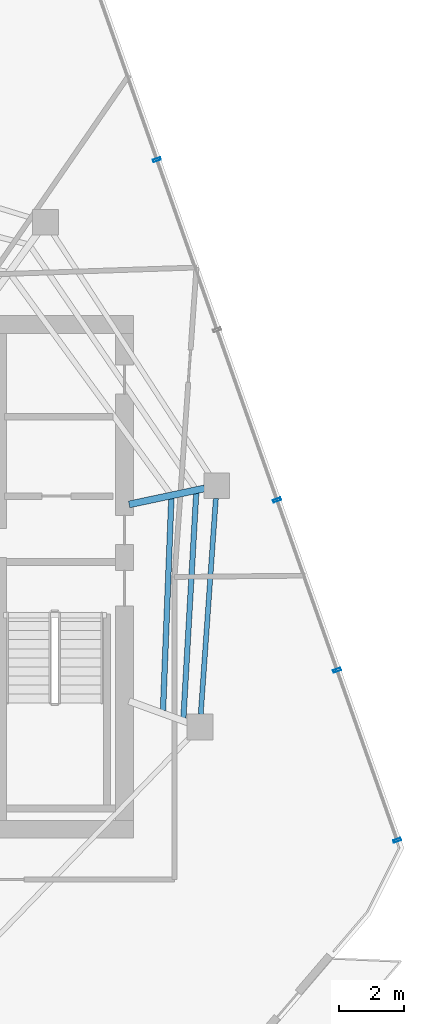
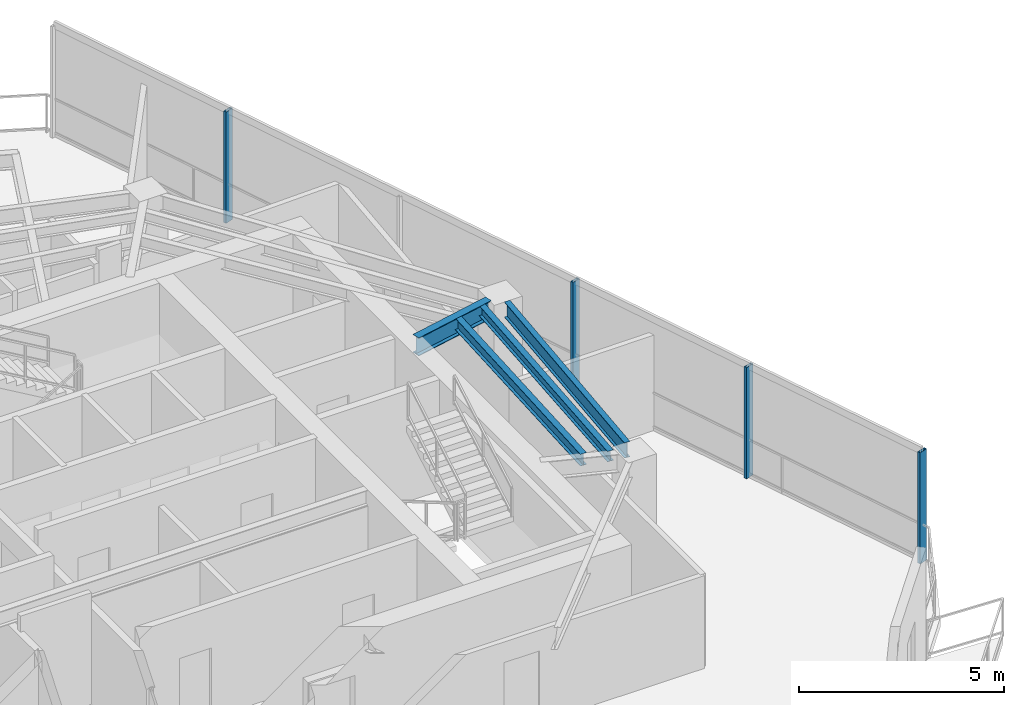
# One storey, part 10 of 18: 4 beams, 4 members, 1 element without a shape of its own.
"""IFC4 building model written with IfcOpenShell, lengths in metres."""

import ifcopenshell
import ifcopenshell.guid

model = None  # the IFC model being written
_history = None  # IfcOwnerHistory: only IFC2X3 demands one
_inside = {}  # id of a spatial element -> (the spatial element, [elements in it])
_under = {}  # id of a project, library or spatial element -> (it, [spatial elements below it])
_declared = {}  # id of a project -> (the project, [libraries it declares])
_typed = {}  # id of a type object -> (the type object, [elements of that type])
_made_of = {}  # id of a material, layer set ... -> (it, [elements and type objects made of it])


def new_model(schema):
    """Start an empty IFC model of exactly this schema.

    Asked for "IFC4X3", IfcOpenShell would pick the latest addendum, in which some entities
    have other attributes; the version numbers below select the first issue.
    IFC2X3 requires an IfcOwnerHistory on every rooted entity: one is made here for all.
    """
    global model, _history
    if schema == "IFC4X3":
        model = ifcopenshell.file(schema_version=(4, 3, 0, 0))
    else:
        model = ifcopenshell.file(schema=schema)
    _inside.clear()
    _under.clear()
    _declared.clear()
    _typed.clear()
    _made_of.clear()
    _history = None
    if model.schema == "IFC2X3":
        org = make("IfcOrganization", Name="unknown")
        user = make(
            "IfcPersonAndOrganization",
            ThePerson=make("IfcPerson", FamilyName="unknown"),
            TheOrganization=org,
        )
        app = make(
            "IfcApplication",
            ApplicationDeveloper=org,
            Version="unknown",
            ApplicationFullName="unknown",
            ApplicationIdentifier="unknown",
        )
        _history = make(
            "IfcOwnerHistory",
            OwningUser=user,
            OwningApplication=app,
            ChangeAction="ADDED",
            CreationDate=0,
        )
    return model


def make(cls, **values):
    """One entity of the class cls with the attributes given. An attribute that is None is left unset."""
    return model.create_entity(
        cls, **{name: value for name, value in values.items() if value is not None}
    )


def rooted(cls, **values):
    """An entity with a GlobalId (a new one), such as an element, a storey or a relation."""
    return make(cls, GlobalId=ifcopenshell.guid.new(), OwnerHistory=_history, **values)


def si_unit(unit_type, name, prefix=None):
    """IfcSIUnit, for example si_unit("LENGTHUNIT", "METRE", prefix="MILLI")."""
    return make("IfcSIUnit", UnitType=unit_type, Prefix=prefix, Name=name)


def assignment(units):
    """IfcUnitAssignment: the units of a project."""
    return None if units is None else make("IfcUnitAssignment", Units=units)


def point(xyz):
    """IfcCartesianPoint."""
    return None if xyz is None else make("IfcCartesianPoint", Coordinates=xyz)


def direction(xyz):
    """IfcDirection."""
    return None if xyz is None else make("IfcDirection", DirectionRatios=xyz)


def frame(location, z_axis=None, x_axis=None):
    """IfcAxis2Placement3D, a coordinate frame: its origin and axes. An axis left out is left unset."""
    return make(
        "IfcAxis2Placement3D",
        Location=point(location),
        Axis=direction(z_axis),
        RefDirection=direction(x_axis),
    )


def frame_2d(location, x_axis=None):
    """IfcAxis2Placement2D, a coordinate frame in the plane: its origin and x axis."""
    return make(
        "IfcAxis2Placement2D", Location=point(location), RefDirection=direction(x_axis)
    )


def origin():
    """The frame at (0, 0, 0) with its axes left unset."""
    return frame((0.0, 0.0, 0.0))


def origin_2d():
    """The frame at (0, 0) in the plane with its x axis left unset."""
    return frame_2d((0.0, 0.0))


def place(relative_to, where):
    """IfcLocalPlacement: puts the frame where relative to a parent placement (None: the world)."""
    return make(
        "IfcLocalPlacement", PlacementRelTo=relative_to, RelativePlacement=where
    )


def context(
    kind, dimensions, precision=None, world=None, true_north=None, identifier=None
):
    """IfcGeometricRepresentationContext, for example the 3D "Model" context."""
    return make(
        "IfcGeometricRepresentationContext",
        ContextIdentifier=identifier,
        ContextType=kind,
        CoordinateSpaceDimension=dimensions,
        Precision=precision,
        WorldCoordinateSystem=world,
        TrueNorth=true_north,
    )


def subcontext(parent, identifier, kind, view, scale=None):
    """IfcGeometricRepresentationSubContext, for example "Body" below "Model"."""
    return make(
        "IfcGeometricRepresentationSubContext",
        ContextIdentifier=identifier,
        ContextType=kind,
        ParentContext=parent,
        TargetScale=scale,
        TargetView=view,
    )


def project(units=None, contexts=None):
    """IfcProject with its units and contexts."""
    return rooted(
        "IfcProject",
        Name="project",
        RepresentationContexts=contexts,
        UnitsInContext=assignment(units),
    )


def spatial(cls, under=None, at=None, **own):
    """A site, building, storey or space (cls), placed at a placement, below another one or the project."""
    s = rooted(cls, ObjectPlacement=at, **own)
    if under is not None:
        _under.setdefault(under.id(), (under, []))[1].append(s)
    return s


def profile(cls, at=None, kind="AREA", **sizes):
    """A parametric profile (cls). Its sizes go by their IFC names, for example OverallWidth=200.0."""
    return make(cls, ProfileType=kind, Position=at, **sizes)


def hollow_rectangle(**sizes):
    """IfcRectangleHollowProfileDef."""
    return profile("IfcRectangleHollowProfileDef", **sizes)


def i_section(**sizes):
    """IfcIShapeProfileDef."""
    return profile("IfcIShapeProfileDef", **sizes)


def extrude(swept, where, along, depth):
    """IfcExtrudedAreaSolid: the profile swept, set in the frame where, extruded along a direction by depth."""
    return make(
        "IfcExtrudedAreaSolid",
        SweptArea=swept,
        Position=where,
        ExtrudedDirection=direction(along),
        Depth=depth,
    )


def shape(context_of_items, identifier, shape_type, items):
    """IfcShapeRepresentation: the items that make up one representation, for example the "Body"."""
    return make(
        "IfcShapeRepresentation",
        ContextOfItems=context_of_items,
        RepresentationIdentifier=identifier,
        RepresentationType=shape_type,
        Items=items,
    )


def material(Name=None, Category=None):
    """IfcMaterial."""
    return make("IfcMaterial", Name=Name, Category=Category)


def layer(
    of_material, thickness, ventilated=None, Name=None, Category=None, Priority=None
):
    """IfcMaterialLayer: one layer of a wall or slab, of a material (None: an air gap)."""
    return make(
        "IfcMaterialLayer",
        Material=of_material,
        LayerThickness=thickness,
        IsVentilated=ventilated,
        Name=Name,
        Category=Category,
        Priority=Priority,
    )


def layer_set(layers, Name=None):
    """IfcMaterialLayerSet."""
    return make("IfcMaterialLayerSet", MaterialLayers=layers, LayerSetName=Name)


def material_profile(
    of_material, cross_section, Name=None, Category=None, Priority=None
):
    """IfcMaterialProfile: a cross section and its material."""
    return make(
        "IfcMaterialProfile",
        Name=Name,
        Material=of_material,
        Profile=cross_section,
        Priority=Priority,
        Category=Category,
    )


def profile_set(profiles, Name=None, composite=None):
    """IfcMaterialProfileSet."""
    return make(
        "IfcMaterialProfileSet",
        Name=Name,
        MaterialProfiles=profiles,
        CompositeProfile=composite,
    )


def made_of(thing, what):
    """Note that an element or type object is made of a material, layer set ...; save() writes the relation."""
    if what is not None:
        _made_of.setdefault(what.id(), (what, []))[1].append(thing)
    return thing


def type_object(cls, material=None, **own):
    """A type object (cls), such as IfcWallType, which elements share."""
    return made_of(rooted(cls, **own), material)


def element(
    cls,
    number,
    at=None,
    inside=None,
    cuts=None,
    type_object=None,
    material=None,
    context=None,
    identifier="Body",
    shape_type=None,
    held_by="IfcProductDefinitionShape",
    body=None,
    shapes=None,
    **own,
):
    """One element of the class cls, such as IfcWall. Its Tag is "e" and its number.

    at: its placement. inside: the storey or other place that contains it. cuts: it is an
    opening in that element (IfcRelVoidsElement). A single representation is given by context,
    identifier, shape_type and body (its items); several are given by shapes. held_by: the class
    of the entity that holds the representations. save() writes the other relations.
    """
    e = rooted(cls, Tag="e%d" % number, ObjectPlacement=at, **own)
    if body is not None:
        shapes = [shape(context, identifier, shape_type, body)]
    if shapes is not None:
        e.Representation = make(held_by, Representations=shapes)
    if inside is not None:
        _inside.setdefault(inside.id(), (inside, []))[1].append(e)
    if cuts is not None:
        rooted(
            "IfcRelVoidsElement", RelatingBuildingElement=cuts, RelatedOpeningElement=e
        )
    if type_object is not None:
        _typed.setdefault(type_object.id(), (type_object, []))[1].append(e)
    return made_of(e, material)


def aggregate(whole, parts):
    """IfcRelAggregates: a whole, such as a stair, and the parts it consists of."""
    return rooted("IfcRelAggregates", RelatingObject=whole, RelatedObjects=parts)


def save(model, path):
    """Write the relations noted so far, then the file.

    IfcRelAggregates (storeys below a building ...), IfcRelContainedInSpatialStructure (elements
    in a storey), IfcRelDefinesByType, IfcRelAssociatesMaterial and IfcRelDeclares: one each for
    every whole, place, type object, material and project.
    """
    for whole, parts in _under.values():
        aggregate(whole, parts)
    for where, things in _inside.values():
        rooted(
            "IfcRelContainedInSpatialStructure",
            RelatedElements=things,
            RelatingStructure=where,
        )
    for kind, things in _typed.values():
        rooted("IfcRelDefinesByType", RelatedObjects=things, RelatingType=kind)
    for what, things in _made_of.values():
        rooted("IfcRelAssociatesMaterial", RelatedObjects=things, RelatingMaterial=what)
    for by, libraries in _declared.values():
        rooted("IfcRelDeclares", RelatingContext=by, RelatedDefinitions=libraries)
    model.write(path)


model = new_model("IFC4")

# Units and contexts
model_context = context("Model", 3, precision=1e-05, world=origin(), true_north=direction((0.0, 1.0)))
body_context = subcontext(model_context, "Body", "Model", "MODEL_VIEW")
ifc_project = project(units=[si_unit("LENGTHUNIT", "METRE"), si_unit("AREAUNIT", "SQUARE_METRE"), si_unit("VOLUMEUNIT", "CUBIC_METRE"), si_unit("PLANEANGLEUNIT", "RADIAN"), si_unit("MASSUNIT", "GRAM", prefix="KILO")], contexts=[model_context])

# Site, building, storey
site_placement = place(None, origin())
site = spatial("IfcSite", under=ifc_project, at=site_placement, CompositionType="ELEMENT")
building_placement = place(site_placement, origin())
building = spatial("IfcBuilding", under=site, at=building_placement, Name="Qarnah Convention Tower", CompositionType="ELEMENT")
storey_placement = place(building_placement, frame((0.0, 0.0, 253.5)))
storey = spatial("IfcBuildingStorey", under=building, at=storey_placement, Name="L68", CompositionType="ELEMENT", Elevation=253.5)

# Beams
ifc_material_1 = material(Name="Structural steel S355JR", Category="steel")
ifc_material_profile_1 = material_profile(ifc_material_1, i_section(OverallWidth=0.166015625, OverallDepth=0.31201171875, WebThickness=0.007080078125, FlangeThickness=0.010986328125, at=origin_2d()), Name="W310X45")
ifc_profile_set_1 = profile_set([ifc_material_profile_1], Name="Structural steel S355JR")
beam_type_1 = type_object("IfcBeamType", Name="BM-JST-W310", PredefinedType="JOIST", material=ifc_profile_set_1)
beam_1_placement = place(storey_placement, frame((49.425048828125, 22.04296875, 3.1640625), z_axis=(0.056885989552, 0.998380680999, 0.0), x_axis=(-0.998380680999, 0.056885989552, 0.0)))
element("IfcBeam", 1, at=beam_1_placement, inside=storey, type_object=beam_type_1, Name="L68 joist BM-L68-SJST-09", PredefinedType="JOIST", context=body_context, shape_type="SweptSolid", body=[
    extrude(i_section(OverallWidth=0.166015625, OverallDepth=0.31201171875, WebThickness=0.007080078125, FlangeThickness=0.010986328125, at=origin_2d()), origin(), (0.0, 0.0, 1.0), 6.961181640625),
])
ifc_material_profile_2 = material_profile(ifc_material_1, i_section(OverallWidth=0.172119140625, OverallDepth=0.35595703125, WebThickness=0.007080078125, FlangeThickness=0.011962890625, at=origin_2d()), Name="W360X51")
ifc_profile_set_2 = profile_set([ifc_material_profile_2], Name="Structural steel S355JR")
beam_type_2 = type_object("IfcBeamType", Name="BM-JST-W360", PredefinedType="JOIST", material=ifc_profile_set_2)
beam_2_placement = place(storey_placement, frame((48.7939453125, 22.27197265625, 3.14208984375), z_axis=(0.039318838444, 0.999226715487, 0.0), x_axis=(-0.999226715487, 0.039318838444, 0.0)))
element("IfcBeam", 2, at=beam_2_placement, inside=storey, type_object=beam_type_2, Name="L68 joist BM-L68-IJST-09", PredefinedType="JOIST", context=body_context, shape_type="SweptSolid", body=[
    extrude(i_section(OverallWidth=0.172119140625, OverallDepth=0.35595703125, WebThickness=0.007080078125, FlangeThickness=0.011962890625, at=origin_2d()), origin(), (0.0, 0.0, 1.0), 6.563232421875),
])
ifc_material_profile_3 = material_profile(ifc_material_1, i_section(OverallWidth=0.2119140625, OverallDepth=0.5400390625, WebThickness=0.011962890625, FlangeThickness=0.01904296875, at=origin_2d()), Name="W530X109")
ifc_profile_set_3 = profile_set([ifc_material_profile_3], Name="Structural steel S355JR")
beam_type_3 = type_object("IfcBeamType", Name="BM-RAD-W530A", PredefinedType="BEAM", material=ifc_profile_set_3)
beam_3_placement = place(storey_placement, frame((47.7470703125, 28.64111328125, 3.050048828125), z_axis=(0.978103714349, 0.20811805298, 0.0), x_axis=(-0.20811805298, 0.978103714349, 0.0)))
element("IfcBeam", 3, at=beam_3_placement, inside=storey, type_object=beam_type_3, Name="L68 beam BM-L68-RAD-01", PredefinedType="BEAM", context=body_context, shape_type="SweptSolid", body=[
    extrude(i_section(OverallWidth=0.2119140625, OverallDepth=0.5400390625, WebThickness=0.011962890625, FlangeThickness=0.01904296875, at=origin_2d()), origin(), (0.0, 0.0, 1.0), 2.38720703125),
])
ifc_material_profile_4 = material_profile(ifc_material_1, i_section(OverallWidth=0.154052734375, OverallDepth=0.4599609375, WebThickness=0.009033203125, FlangeThickness=0.014892578125, at=origin_2d()), Name="W460X68")
ifc_profile_set_4 = profile_set([ifc_material_profile_4], Name="Structural steel S355JR")
beam_type_4 = type_object("IfcBeamType", Name="BM-SPN-W460B", PredefinedType="SPANDREL", material=ifc_profile_set_4)
beam_4_placement = place(storey_placement, frame((49.9599609375, 22.155029296875, 3.090087890625), z_axis=(0.069820410922, 0.997559577278, 0.0), x_axis=(-0.997559577278, 0.069820410922, 0.0)))
element("IfcBeam", 4, at=beam_4_placement, inside=storey, type_object=beam_type_4, Name="L68 spandrel BM-L68-SPN-09", PredefinedType="SPANDREL", context=body_context, shape_type="SweptSolid", body=[
    extrude(i_section(OverallWidth=0.154052734375, OverallDepth=0.4599609375, WebThickness=0.009033203125, FlangeThickness=0.014892578125, at=origin_2d()), origin(), (0.0, 0.0, 1.0), 6.689208984375),
])

# Curtain wall, members
ifc_material_2 = material(Name="Tempered Low-E dark glass", Category="glass")
ifc_layer = layer(ifc_material_2, 0.176025390625)
ifc_layer_set = layer_set([ifc_layer], Name="Tempered Low-E dark glass")
curtain_wall_type = type_object("IfcCurtainWallType", Name="CWS-05", PredefinedType="NOTDEFINED", material=ifc_layer_set)
curtain_wall_placement = place(storey_placement, origin())
curtain_wall = element("IfcCurtainWall", 5, at=curtain_wall_placement, inside=storey, type_object=curtain_wall_type, Name="L68 unitised curtain wall CW-L68-F3", PredefinedType="NOTDEFINED")
ifc_material_3 = material(Name="Black anodised aluminium", Category="aluminium")
ifc_material_profile_5 = material_profile(ifc_material_3, hollow_rectangle(XDim=0.080078125, YDim=0.239990234375, WallThickness=0.0048828125, at=origin_2d()), Name="MUL-80X240")
ifc_profile_set_5 = profile_set([ifc_material_profile_5], Name="Black anodised aluminium")
member_type = type_object("IfcMemberType", Name="MUL-T5", PredefinedType="MULLION", material=ifc_profile_set_5)
member_1_placement = place(storey_placement, frame((48.604248046875, 39.296630859375, 0.0), z_axis=(0.0, 0.0, 1.0), x_axis=(0.332810739324, -0.942993643558, 0.0)))
member_1 = element("IfcMember", 6, at=member_1_placement, type_object=member_type, Name="CW-L68-F3 mullion 2", PredefinedType="MULLION", context=body_context, shape_type="SweptSolid", body=[
    extrude(hollow_rectangle(XDim=0.080078125, YDim=0.239990234375, WallThickness=0.0048828125, at=origin_2d()), origin(), (0.0, 0.0, 1.0), 3.320068359375),
])
member_2_placement = place(storey_placement, frame((52.316650390625, 28.77783203125, 0.0), z_axis=(0.0, 0.0, 1.0), x_axis=(0.332810739324, -0.942993643558, 0.0)))
member_2 = element("IfcMember", 7, at=member_2_placement, type_object=member_type, Name="CW-L68-F3 mullion 4", PredefinedType="MULLION", context=body_context, shape_type="SweptSolid", body=[
    extrude(hollow_rectangle(XDim=0.080078125, YDim=0.239990234375, WallThickness=0.0048828125, at=origin_2d()), origin(), (0.0, 0.0, 1.0), 3.320068359375),
])
member_3_placement = place(storey_placement, frame((54.1728515625, 23.518310546875, 0.0), z_axis=(0.0, 0.0, 1.0), x_axis=(0.332810739324, -0.942993643558, 0.0)))
member_3 = element("IfcMember", 8, at=member_3_placement, type_object=member_type, Name="CW-L68-F3 mullion 5", PredefinedType="MULLION", context=body_context, shape_type="SweptSolid", body=[
    extrude(hollow_rectangle(XDim=0.080078125, YDim=0.239990234375, WallThickness=0.0048828125, at=origin_2d()), origin(), (0.0, 0.0, 1.0), 3.320068359375),
])
member_4_placement = place(storey_placement, frame((56.029052734375, 18.259033203125, 0.0), z_axis=(0.0, 0.0, 1.0), x_axis=(0.332810739324, -0.942993643558, 0.0)))
member_4 = element("IfcMember", 9, at=member_4_placement, type_object=member_type, Name="CW-L68-F3 mullion 6", PredefinedType="MULLION", context=body_context, shape_type="SweptSolid", body=[
    extrude(hollow_rectangle(XDim=0.080078125, YDim=0.239990234375, WallThickness=0.0048828125, at=origin_2d()), origin(), (0.0, 0.0, 1.0), 3.320068359375),
])
aggregate(curtain_wall, [member_1, member_2, member_3, member_4])

save(model, "model.ifc")
